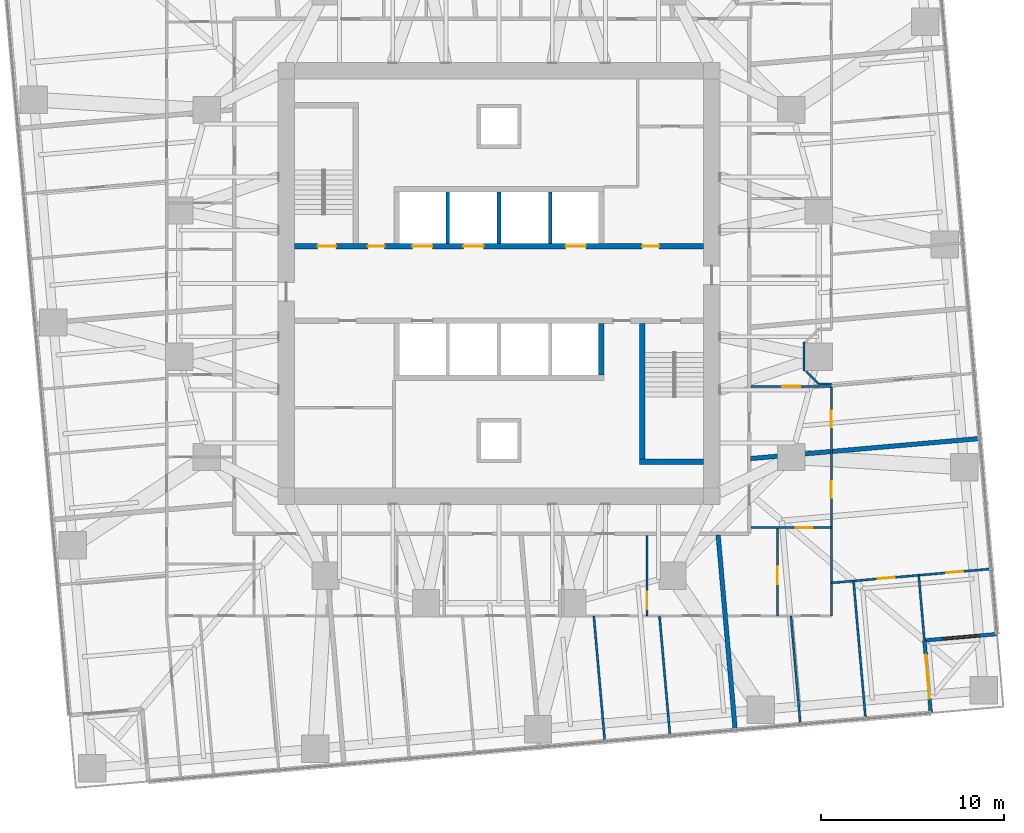
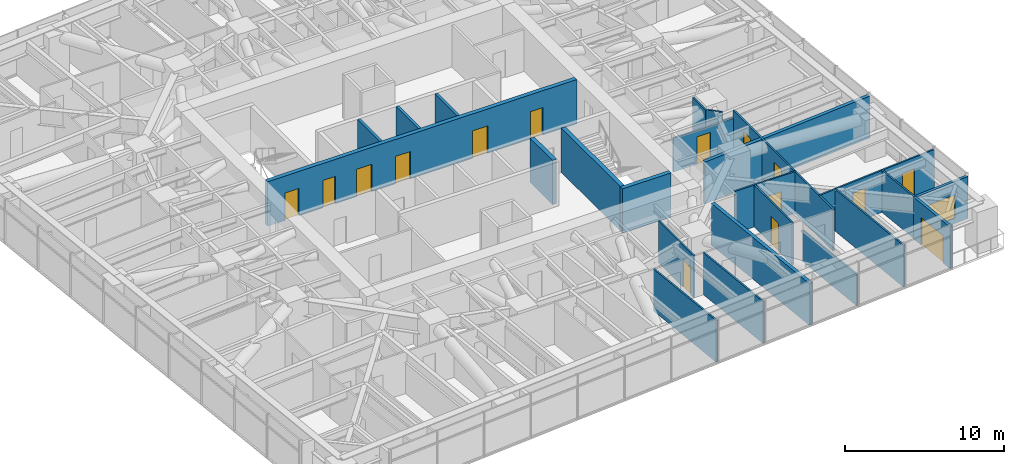
# One storey, part 13 of 18: 25 walls, 15 doors, 1 window, 16 openings.
"""IFC4 building model written with IfcOpenShell, lengths in metres."""

from ifc_helpers import new_model, si_unit, direction, frame, frame_2d, origin, place, context, subcontext, project, spatial, rectangle, extrude, material, layer, layer_set, type_object, element, fill, save


model = new_model("IFC4")

# Units and contexts
model_context = context("Model", 3, precision=1e-05, world=origin(), true_north=direction((0.0, 1.0)))
body_context = subcontext(model_context, "Body", "Model", "MODEL_VIEW")
ifc_project = project(units=[si_unit("LENGTHUNIT", "METRE"), si_unit("AREAUNIT", "SQUARE_METRE"), si_unit("VOLUMEUNIT", "CUBIC_METRE"), si_unit("PLANEANGLEUNIT", "RADIAN"), si_unit("MASSUNIT", "GRAM", prefix="KILO")], contexts=[model_context])

# Site, building, storey
site_placement = place(None, origin())
site = spatial("IfcSite", under=ifc_project, at=site_placement, CompositionType="ELEMENT")
building_placement = place(site_placement, origin())
building = spatial("IfcBuilding", under=site, at=building_placement, Name="Torsade Residences", CompositionType="ELEMENT")
storey_placement = place(building_placement, frame((0.0, 0.0, 71.0)))
storey = spatial("IfcBuildingStorey", under=building, at=storey_placement, Name="L19", CompositionType="ELEMENT", Elevation=71.0)

# Wall, openings, doors
ifc_material_1 = material(Name="Concrete 80 MPa", Category="concrete")
ifc_layer_1 = layer(ifc_material_1, 0.300048828125)
ifc_layer_set_1 = layer_set([ifc_layer_1], Name="Concrete 80 MPa")
wall_type_1 = type_object("IfcWallType", Name="CORE INTERNAL WALL 300", PredefinedType="SHEAR", material=ifc_layer_set_1)
wall_1_placement = place(storey_placement, frame((28.800048828125, 32.050048828125, 0.0), z_axis=(0.0, 0.0, 1.0), x_axis=(1.0, 0.0, 0.0)))
wall_1 = element("IfcWall", 1, at=wall_1_placement, inside=storey, type_object=wall_type_1, Name="Core wall LN L19", PredefinedType="SHEAR", context=body_context, shape_type="SweptSolid", body=[
    extrude(rectangle(XDim=22.39990234375, YDim=0.300048828125, at=frame_2d((11.199951171875, 0.0))), origin(), (0.0, 0.0, 1.0), 3.39990234375),
])
opening_1_placement = place(wall_1_placement, frame((19.0400390625, 0.0, 0.0)))
opening_1 = element("IfcOpeningElement", 2, at=opening_1_placement, cuts=wall_1, Name="Opening D06", PredefinedType="OPENING", context=body_context, shape_type="SweptSolid", body=[
    extrude(rectangle(XDim=0.919921875, YDim=2.10009765625, at=frame_2d((0.4599609375, 1.050048828125))), frame((0.0, 0.159912109375, 0.0), z_axis=(0.0, -1.0, 0.0), x_axis=(1.0, 0.0, 0.0)), (0.0, 0.0, 1.0), 0.320068359375),
])
opening_2_placement = place(wall_1_placement, frame((1.264892578125, 0.0, 0.0)))
opening_2 = element("IfcOpeningElement", 3, at=opening_2_placement, cuts=wall_1, Name="Opening D03", PredefinedType="OPENING", context=body_context, shape_type="SweptSolid", body=[
    extrude(rectangle(XDim=1.02001953125, YDim=2.10009765625, at=frame_2d((0.510009765625, 1.050048828125))), frame((0.0, 0.159912109375, 0.0), z_axis=(0.0, -1.0, 0.0), x_axis=(1.0, 0.0, 0.0)), (0.0, 0.0, 1.0), 0.320068359375),
])
opening_3_placement = place(wall_1_placement, frame((4.014892578125, 0.0, 0.0)))
opening_3 = element("IfcOpeningElement", 4, at=opening_3_placement, cuts=wall_1, Name="Opening D06", PredefinedType="OPENING", context=body_context, shape_type="SweptSolid", body=[
    extrude(rectangle(XDim=0.919921875, YDim=2.10009765625, at=frame_2d((0.4599609375, 1.050048828125))), frame((0.0, 0.159912109375, 0.0), z_axis=(0.0, -1.0, 0.0), x_axis=(1.0, 0.0, 0.0)), (0.0, 0.0, 1.0), 0.320068359375),
])
opening_4_placement = place(wall_1_placement, frame((6.449951171875, 0.0, 0.0)))
opening_4 = element("IfcOpeningElement", 5, at=opening_4_placement, cuts=wall_1, Name="Opening LD", PredefinedType="OPENING", context=body_context, shape_type="SweptSolid", body=[
    extrude(rectangle(XDim=1.10009765625, YDim=2.10009765625, at=frame_2d((0.550048828125, 1.050048828125))), frame((0.0, 0.159912109375, 0.0), z_axis=(0.0, -1.0, 0.0), x_axis=(1.0, 0.0, 0.0)), (0.0, 0.0, 1.0), 0.320068359375),
])
opening_5_placement = place(wall_1_placement, frame((9.25, 0.0, 0.0)))
opening_5 = element("IfcOpeningElement", 6, at=opening_5_placement, cuts=wall_1, Name="Opening LD", PredefinedType="OPENING", context=body_context, shape_type="SweptSolid", body=[
    extrude(rectangle(XDim=1.10009765625, YDim=2.10009765625, at=frame_2d((0.550048828125, 1.050048828125))), frame((0.0, 0.159912109375, 0.0), z_axis=(0.0, -1.0, 0.0), x_axis=(1.0, 0.0, 0.0)), (0.0, 0.0, 1.0), 0.320068359375),
])
opening_6_placement = place(wall_1_placement, frame((14.85009765625, 0.0, 0.0)))
opening_6 = element("IfcOpeningElement", 7, at=opening_6_placement, cuts=wall_1, Name="Opening LD", PredefinedType="OPENING", context=body_context, shape_type="SweptSolid", body=[
    extrude(rectangle(XDim=1.10009765625, YDim=2.10009765625, at=frame_2d((0.550048828125, 1.050048828125))), frame((0.0, 0.159912109375, 0.0), z_axis=(0.0, -1.0, 0.0), x_axis=(1.0, 0.0, 0.0)), (0.0, 0.0, 1.0), 0.320068359375),
])
ifc_material_2 = material(Name="Steel-framed fire door", Category="steel")
door_type_1 = type_object("IfcDoorType", Name="FIRE DOOR 1020", OperationType="NOTDEFINED", PredefinedType="DOOR", material=ifc_material_2)
door_1_placement = place(opening_2_placement, origin())
door_1 = element("IfcDoor", 8, at=door_1_placement, inside=storey, type_object=door_type_1, Name="Exit door to fire-isolated stair ST1 L19", OperationType="SINGLE_SWING_RIGHT", OverallHeight=2.10009765625, OverallWidth=1.02001953125, PredefinedType="DOOR", context=body_context, shape_type="SweptSolid", body=[
    extrude(rectangle(XDim=1.02001953125, YDim=2.10009765625, at=frame_2d((0.510009765625, 1.050048828125))), frame((0.0, 0.02490234375, 0.0), z_axis=(0.0, -1.0, 0.0), x_axis=(1.0, 0.0, 0.0)), (0.0, 0.0, 1.0), 0.050048828125),
])
fill(opening_2, door_1)
ifc_material_3 = material(Name="Steel-framed fire door", Category="steel")
door_type_2 = type_object("IfcDoorType", Name="FIRE DOOR 920", OperationType="NOTDEFINED", PredefinedType="DOOR", material=ifc_material_3)
door_2_placement = place(opening_1_placement, origin())
door_2 = element("IfcDoor", 9, at=door_2_placement, inside=storey, type_object=door_type_2, Name="Door Lift lobby to Refuse room", OperationType="SINGLE_SWING_LEFT", OverallHeight=2.10009765625, OverallWidth=0.919921875, PredefinedType="DOOR", context=body_context, shape_type="SweptSolid", body=[
    extrude(rectangle(XDim=0.919921875, YDim=2.10009765625, at=frame_2d((0.4599609375, 1.050048828125))), frame((0.0, 0.02490234375, 0.0), z_axis=(0.0, -1.0, 0.0), x_axis=(1.0, 0.0, 0.0)), (0.0, 0.0, 1.0), 0.050048828125),
])
fill(opening_1, door_2)
door_3_placement = place(opening_3_placement, origin())
door_3 = element("IfcDoor", 10, at=door_3_placement, inside=storey, type_object=door_type_2, Name="Door Lift lobby to Electrical riser room", OperationType="SINGLE_SWING_LEFT", OverallHeight=2.10009765625, OverallWidth=0.919921875, PredefinedType="DOOR", context=body_context, shape_type="SweptSolid", body=[
    extrude(rectangle(XDim=0.919921875, YDim=2.10009765625, at=frame_2d((0.4599609375, 1.050048828125))), frame((0.0, 0.02490234375, 0.0), z_axis=(0.0, -1.0, 0.0), x_axis=(1.0, 0.0, 0.0)), (0.0, 0.0, 1.0), 0.050048828125),
])
fill(opening_3, door_3)
ifc_material_4 = material(Name="Stainless steel lift landing door", Category="steel")
door_type_3 = type_object("IfcDoorType", Name="LIFT LANDING DOOR 1100", OperationType="SLIDING_TO_LEFT", PredefinedType="DOOR", material=ifc_material_4)
door_4_placement = place(opening_4_placement, origin())
door_4 = element("IfcDoor", 11, at=door_4_placement, inside=storey, type_object=door_type_3, Name="Lift LA1 landing door L19", OperationType="SLIDING_TO_LEFT", OverallHeight=2.10009765625, OverallWidth=1.10009765625, PredefinedType="DOOR", context=body_context, shape_type="SweptSolid", body=[
    extrude(rectangle(XDim=1.10009765625, YDim=2.10009765625, at=frame_2d((0.550048828125, 1.050048828125))), frame((0.0, 0.02490234375, 0.0), z_axis=(0.0, -1.0, 0.0), x_axis=(1.0, 0.0, 0.0)), (0.0, 0.0, 1.0), 0.050048828125),
])
fill(opening_4, door_4)
door_5_placement = place(opening_5_placement, origin())
door_5 = element("IfcDoor", 12, at=door_5_placement, inside=storey, type_object=door_type_3, Name="Lift LA2 landing door L19", OperationType="SLIDING_TO_LEFT", OverallHeight=2.10009765625, OverallWidth=1.10009765625, PredefinedType="DOOR", context=body_context, shape_type="SweptSolid", body=[
    extrude(rectangle(XDim=1.10009765625, YDim=2.10009765625, at=frame_2d((0.550048828125, 1.050048828125))), frame((0.0, 0.02490234375, 0.0), z_axis=(0.0, -1.0, 0.0), x_axis=(1.0, 0.0, 0.0)), (0.0, 0.0, 1.0), 0.050048828125),
])
fill(opening_5, door_5)
door_6_placement = place(opening_6_placement, origin())
door_6 = element("IfcDoor", 13, at=door_6_placement, inside=storey, type_object=door_type_3, Name="Lift FL1 landing door L19", OperationType="SLIDING_TO_LEFT", OverallHeight=2.10009765625, OverallWidth=1.10009765625, PredefinedType="DOOR", context=body_context, shape_type="SweptSolid", body=[
    extrude(rectangle(XDim=1.10009765625, YDim=2.10009765625, at=frame_2d((0.550048828125, 1.050048828125))), frame((0.0, 0.02490234375, 0.0), z_axis=(0.0, -1.0, 0.0), x_axis=(1.0, 0.0, 0.0)), (0.0, 0.0, 1.0), 0.050048828125),
])
fill(opening_6, door_6)

# Walls
wall_2_placement = place(storey_placement, frame((45.60009765625, 27.800048828125, 0.0), z_axis=(0.0, 0.0, 1.0), x_axis=(0.0, -1.0, 0.0)))
element("IfcWall", 14, at=wall_2_placement, inside=storey, type_object=wall_type_1, Name="Core wall DS0 L19", PredefinedType="SHEAR", context=body_context, shape_type="SweptSolid", body=[
    extrude(rectangle(XDim=2.800048828125, YDim=0.300048828125, at=frame_2d((1.39990234375, 0.0))), origin(), (0.0, 0.0, 1.0), 3.39990234375),
])
wall_3_placement = place(storey_placement, frame((47.85009765625, 27.800048828125, 0.0), z_axis=(0.0, 0.0, 1.0), x_axis=(0.0, -1.0, 0.0)))
element("IfcWall", 15, at=wall_3_placement, inside=storey, type_object=wall_type_1, Name="Core wall ST2W L19", PredefinedType="SHEAR", context=body_context, shape_type="SweptSolid", body=[
    extrude(rectangle(XDim=7.699951171875, YDim=0.300048828125, at=frame_2d((3.85009765625, 0.0))), origin(), (0.0, 0.0, 1.0), 3.39990234375),
])
wall_4_placement = place(storey_placement, frame((51.199951171875, 20.25, 0.0), z_axis=(0.0, 0.0, 1.0), x_axis=(-1.0, 0.0, 0.0)))
element("IfcWall", 16, at=wall_4_placement, inside=storey, type_object=wall_type_1, Name="Core wall ST2S L19", PredefinedType="SHEAR", context=body_context, shape_type="SweptSolid", body=[
    extrude(rectangle(XDim=3.5, YDim=0.300048828125, at=frame_2d((1.75, 0.0))), origin(), (0.0, 0.0, 1.0), 3.39990234375),
])
ifc_material_5 = material(Name="Reinforced blockwork", Category="masonry")
ifc_layer_2 = layer(ifc_material_5, 0.199951171875)
ifc_layer_set_2 = layer_set([ifc_layer_2], Name="Reinforced blockwork")
wall_type_2 = type_object("IfcWallType", Name="LIFT SHAFT DIVIDING WALL 200", PredefinedType="SOLIDWALL", material=ifc_layer_set_2)
for number, where, z_axis, x_axis, name in (
    (17, (37.199951171875, 32.199951171875, 0.0), (0.0, 0.0, 1.0), (0.0, 1.0, 0.0), "Core wall DN1 L19"),
    (18, (40.0, 32.199951171875, 0.0), (0.0, 0.0, 1.0), (0.0, 1.0, 0.0), "Core wall DN2 L19"),
    (19, (42.800048828125, 32.199951171875, 0.0), (0.0, 0.0, 1.0), (0.0, 1.0, 0.0), "Core wall DN3 L19"),
):
    element("IfcWall", number, at=place(storey_placement, frame(where, z_axis=z_axis, x_axis=x_axis)), inside=storey, type_object=wall_type_2, Name=name, PredefinedType="SOLIDWALL", context=body_context, shape_type="SweptSolid", body=[
        extrude(rectangle(XDim=2.800048828125, YDim=0.199951171875, at=frame_2d((1.39990234375, 0.0))), origin(), (0.0, 0.0, 1.0), 3.39990234375),
    ])

# Wall, opening, door
ifc_material_6 = material(Name="Plasterboard on steel stud", Category="steel")
ifc_layer_3 = layer(ifc_material_6, 0.1201171875)
ifc_layer_set_3 = layer_set([ifc_layer_3], Name="Plasterboard on steel stud")
wall_type_3 = type_object("IfcWallType", Name="PARTITION 120", PredefinedType="PARTITIONING", material=ifc_layer_set_3)
wall_5_placement = place(storey_placement, frame((48.101318359375, 16.199951171875, 0.0), z_axis=(0.0, 0.0, 1.0), x_axis=(0.0, -1.0, 0.0)))
wall_5 = element("IfcWall", 20, at=wall_5_placement, inside=storey, type_object=wall_type_3, Name="Partition L19", PredefinedType="PARTITIONING", context=body_context, shape_type="SweptSolid", body=[
    extrude(rectangle(XDim=4.39990234375, YDim=0.1201171875, at=frame_2d((2.199951171875, 0.0))), origin(), (0.0, 0.0, 1.0), 3.199951171875),
])
opening_7_placement = place(wall_5_placement, frame((3.070068359375, 0.0, 0.0)))
opening_7 = element("IfcOpeningElement", 21, at=opening_7_placement, cuts=wall_5, Name="Opening D05", PredefinedType="OPENING", context=body_context, shape_type="SweptSolid", body=[
    extrude(rectangle(XDim=0.9599609375, YDim=2.10009765625, at=frame_2d((0.47998046875, 1.050048828125))), frame((0.0, 0.070068359375, 0.0), z_axis=(0.0, -1.0, 0.0), x_axis=(1.0, 0.0, 0.0)), (0.0, 0.0, 1.0), 0.14013671875),
])
ifc_material_7 = material(Name="Hollow-core timber door in a steel cavity frame", Category="steel")
door_type_4 = type_object("IfcDoorType", Name="BATHROOM CAVITY SLIDING DOOR 960", OperationType="SLIDING_TO_LEFT", PredefinedType="DOOR", material=ifc_material_7)
door_7_placement = place(opening_7_placement, origin())
door_7 = element("IfcDoor", 22, at=door_7_placement, inside=storey, type_object=door_type_4, Name="Door Kitchen and dining to Bathroom", OperationType="SLIDING_TO_LEFT", OverallHeight=2.10009765625, OverallWidth=0.9599609375, PredefinedType="DOOR", context=body_context, shape_type="SweptSolid", body=[
    extrude(rectangle(XDim=0.9599609375, YDim=2.10009765625, at=frame_2d((0.47998046875, 1.050048828125))), frame((0.0, 0.02490234375, 0.0), z_axis=(0.0, -1.0, 0.0), x_axis=(1.0, 0.0, 0.0)), (0.0, 0.0, 1.0), 0.050048828125),
])
fill(opening_7, door_7)

# Walls
wall_6_placement = place(storey_placement, frame((45.189208984375, 11.800048828125, 0.0), z_axis=(0.0, 0.0, 1.0), x_axis=(0.087190290923, -0.996191674914, 0.0)))
element("IfcWall", 23, at=wall_6_placement, inside=storey, type_object=wall_type_3, Name="Partition L19", PredefinedType="PARTITIONING", context=body_context, shape_type="SweptSolid", body=[
    extrude(rectangle(XDim=6.876953125, YDim=0.1201171875, at=frame_2d((3.4384765625, 0.0))), origin(), (0.0, 0.0, 1.0), 3.199951171875),
])
wall_7_placement = place(storey_placement, frame((48.786376953125, 11.800048828125, 0.0), z_axis=(0.0, 0.0, 1.0), x_axis=(0.087151261897, -0.996195090105, 0.0)))
element("IfcWall", 24, at=wall_7_placement, inside=storey, type_object=wall_type_3, Name="Partition L19", PredefinedType="PARTITIONING", context=body_context, shape_type="SweptSolid", body=[
    extrude(rectangle(XDim=6.5634765625, YDim=0.1201171875, at=frame_2d((3.28173828125, 0.0))), origin(), (0.0, 0.0, 1.0), 3.199951171875),
])

# Wall, opening, door
wall_8_placement = place(storey_placement, frame((58.199951171875, 16.634033203125, 0.0), z_axis=(0.0, 0.0, 1.0), x_axis=(-1.0, 0.0, 0.0)))
wall_8 = element("IfcWall", 25, at=wall_8_placement, inside=storey, type_object=wall_type_3, Name="Partition L19", PredefinedType="PARTITIONING", context=body_context, shape_type="SweptSolid", body=[
    extrude(rectangle(XDim=4.39990234375, YDim=0.1201171875, at=frame_2d((2.199951171875, 0.0))), origin(), (0.0, 0.0, 1.0), 3.199951171875),
])
opening_8_placement = place(wall_8_placement, frame((1.040771484375, 0.0, 0.0)))
opening_8 = element("IfcOpeningElement", 26, at=opening_8_placement, cuts=wall_8, Name="Opening D02N", PredefinedType="OPENING", context=body_context, shape_type="SweptSolid", body=[
    extrude(rectangle(XDim=0.919921875, YDim=2.0, at=frame_2d((0.4599609375, 1.0))), frame((0.0, 0.070068359375, 0.0), z_axis=(0.0, -1.0, 0.0), x_axis=(1.0, 0.0, 0.0)), (0.0, 0.0, 1.0), 0.14013671875),
])
ifc_material_8 = material(Name="Hollow-core timber door", Category="wood")
door_type_5 = type_object("IfcDoorType", Name="INTERNAL DOOR 920x2000", OperationType="NOTDEFINED", PredefinedType="DOOR", material=ifc_material_8)
door_8_placement = place(opening_8_placement, origin())
door_8 = element("IfcDoor", 27, at=door_8_placement, inside=storey, type_object=door_type_5, Name="Door Kitchen and dining to Dressing room", OperationType="SINGLE_SWING_RIGHT", OverallHeight=2.0, OverallWidth=0.919921875, PredefinedType="DOOR", context=body_context, shape_type="SweptSolid", body=[
    extrude(rectangle(XDim=0.919921875, YDim=2.0, at=frame_2d((0.4599609375, 1.0))), frame((0.0, 0.02490234375, 0.0), z_axis=(0.0, -1.0, 0.0), x_axis=(1.0, 0.0, 0.0)), (0.0, 0.0, 1.0), 0.050048828125),
])
fill(opening_8, door_8)

# Wall, openings, doors
wall_9_placement = place(storey_placement, frame((58.199951171875, 24.365966796875, 0.0), z_axis=(0.0, 0.0, 1.0), x_axis=(0.0, -1.0, 0.0)))
wall_9 = element("IfcWall", 28, at=wall_9_placement, inside=storey, type_object=wall_type_3, Name="Partition L19", PredefinedType="PARTITIONING", context=body_context, shape_type="SweptSolid", body=[
    extrude(rectangle(XDim=12.56591796875, YDim=0.1201171875, at=frame_2d((6.282958984375, 0.0))), origin(), (0.0, 0.0, 1.0), 3.199951171875),
])
opening_9_placement = place(wall_9_placement, frame((1.322265625, 0.0, 0.0)))
opening_9 = element("IfcOpeningElement", 29, at=opening_9_placement, cuts=wall_9, Name="Opening D02", PredefinedType="OPENING", context=body_context, shape_type="SweptSolid", body=[
    extrude(rectangle(XDim=0.919921875, YDim=2.340087890625, at=frame_2d((0.4599609375, 1.169921875))), frame((0.0, 0.070068359375, 0.0), z_axis=(0.0, -1.0, 0.0), x_axis=(1.0, 0.0, 0.0)), (0.0, 0.0, 1.0), 0.14013671875),
])
opening_10_placement = place(wall_9_placement, frame((5.1884765625, 0.0, 0.0)))
opening_10 = element("IfcOpeningElement", 30, at=opening_10_placement, cuts=wall_9, Name="Opening D02", PredefinedType="OPENING", context=body_context, shape_type="SweptSolid", body=[
    extrude(rectangle(XDim=0.919921875, YDim=2.340087890625, at=frame_2d((0.4599609375, 1.169921875))), frame((0.0, 0.070068359375, 0.0), z_axis=(0.0, -1.0, 0.0), x_axis=(1.0, 0.0, 0.0)), (0.0, 0.0, 1.0), 0.14013671875),
])
ifc_material_9 = material(Name="Hollow-core timber door", Category="wood")
door_type_6 = type_object("IfcDoorType", Name="INTERNAL DOOR 920x2340", OperationType="NOTDEFINED", PredefinedType="DOOR", material=ifc_material_9)
door_9_placement = place(opening_9_placement, origin())
door_9 = element("IfcDoor", 31, at=door_9_placement, inside=storey, type_object=door_type_6, Name="Door Kitchen and dining to Living room", OperationType="SINGLE_SWING_RIGHT", OverallHeight=2.340087890625, OverallWidth=0.919921875, PredefinedType="DOOR", context=body_context, shape_type="SweptSolid", body=[
    extrude(rectangle(XDim=0.919921875, YDim=2.340087890625, at=frame_2d((0.4599609375, 1.169921875))), frame((0.0, 0.02490234375, 0.0), z_axis=(0.0, -1.0, 0.0), x_axis=(1.0, 0.0, 0.0)), (0.0, 0.0, 1.0), 0.050048828125),
])
fill(opening_9, door_9)
door_10_placement = place(opening_10_placement, origin())
door_10 = element("IfcDoor", 32, at=door_10_placement, inside=storey, type_object=door_type_6, Name="Door Kitchen and dining to Living room", OperationType="SINGLE_SWING_LEFT", OverallHeight=2.340087890625, OverallWidth=0.919921875, PredefinedType="DOOR", context=body_context, shape_type="SweptSolid", body=[
    extrude(rectangle(XDim=0.919921875, YDim=2.340087890625, at=frame_2d((0.4599609375, 1.169921875))), frame((0.0, 0.02490234375, 0.0), z_axis=(0.0, -1.0, 0.0), x_axis=(1.0, 0.0, 0.0)), (0.0, 0.0, 1.0), 0.050048828125),
])
fill(opening_10, door_10)

# Wall, opening, door
wall_10_placement = place(storey_placement, frame((55.248779296875, 16.593994140625, 0.0), z_axis=(0.0, 0.0, 1.0), x_axis=(0.0, -1.0, 0.0)))
wall_10 = element("IfcWall", 33, at=wall_10_placement, inside=storey, type_object=wall_type_3, Name="Partition L19", PredefinedType="PARTITIONING", context=body_context, shape_type="SweptSolid", body=[
    extrude(rectangle(XDim=4.7939453125, YDim=0.1201171875, at=frame_2d((2.39697265625, 0.0))), origin(), (0.0, 0.0, 1.0), 3.199951171875),
])
opening_11_placement = place(wall_10_placement, frame((2.114013671875, 0.0, 0.0)))
opening_11 = element("IfcOpeningElement", 34, at=opening_11_placement, cuts=wall_10, Name="Opening D05", PredefinedType="OPENING", context=body_context, shape_type="SweptSolid", body=[
    extrude(rectangle(XDim=0.9599609375, YDim=2.10009765625, at=frame_2d((0.47998046875, 1.050048828125))), frame((0.0, 0.070068359375, 0.0), z_axis=(0.0, -1.0, 0.0), x_axis=(1.0, 0.0, 0.0)), (0.0, 0.0, 1.0), 0.14013671875),
])
door_11_placement = place(opening_11_placement, origin())
door_11 = element("IfcDoor", 35, at=door_11_placement, inside=storey, type_object=door_type_4, Name="Door Dressing room to Bathroom", OperationType="SLIDING_TO_LEFT", OverallHeight=2.10009765625, OverallWidth=0.9599609375, PredefinedType="DOOR", context=body_context, shape_type="SweptSolid", body=[
    extrude(rectangle(XDim=0.9599609375, YDim=2.10009765625, at=frame_2d((0.47998046875, 1.050048828125))), frame((0.0, 0.02490234375, 0.0), z_axis=(0.0, -1.0, 0.0), x_axis=(1.0, 0.0, 0.0)), (0.0, 0.0, 1.0), 0.050048828125),
])
fill(opening_11, door_11)

# Wall, openings, doors
wall_11_placement = place(storey_placement, frame((66.924560546875, 14.37060546875, 0.0), z_axis=(0.0, 0.0, 1.0), x_axis=(-0.996193475426, -0.087169716747, 0.0)))
wall_11 = element("IfcWall", 36, at=wall_11_placement, inside=storey, type_object=wall_type_3, Name="Partition L19", PredefinedType="PARTITIONING", context=body_context, shape_type="SweptSolid", body=[
    extrude(rectangle(XDim=8.758056640625, YDim=0.1201171875, at=frame_2d((4.37890625, 0.0))), origin(), (0.0, 0.0, 1.0), 3.199951171875),
])
opening_12_placement = place(wall_11_placement, frame((1.52490234375, 0.0, 0.0)))
opening_12 = element("IfcOpeningElement", 37, at=opening_12_placement, cuts=wall_11, Name="Opening D02", PredefinedType="OPENING", context=body_context, shape_type="SweptSolid", body=[
    extrude(rectangle(XDim=0.919921875, YDim=2.340087890625, at=frame_2d((0.4599609375, 1.169921875))), frame((0.0, 0.070068359375, 0.0), z_axis=(0.0, -1.0, 0.0), x_axis=(1.0, 0.0, 0.0)), (0.0, 0.0, 1.0), 0.14013671875),
])
opening_13_placement = place(wall_11_placement, frame((5.291748046875, 0.0, 0.0)))
opening_13 = element("IfcOpeningElement", 38, at=opening_13_placement, cuts=wall_11, Name="Opening D02", PredefinedType="OPENING", context=body_context, shape_type="SweptSolid", body=[
    extrude(rectangle(XDim=0.919921875, YDim=2.340087890625, at=frame_2d((0.4599609375, 1.169921875))), frame((0.0, 0.070068359375, 0.0), z_axis=(0.0, -1.0, 0.0), x_axis=(1.0, 0.0, 0.0)), (0.0, 0.0, 1.0), 0.14013671875),
])
door_12_placement = place(opening_12_placement, origin())
door_12 = element("IfcDoor", 39, at=door_12_placement, inside=storey, type_object=door_type_6, Name="Door Living room to Family room", OperationType="SINGLE_SWING_RIGHT", OverallHeight=2.340087890625, OverallWidth=0.919921875, PredefinedType="DOOR", context=body_context, shape_type="SweptSolid", body=[
    extrude(rectangle(XDim=0.919921875, YDim=2.340087890625, at=frame_2d((0.4599609375, 1.169921875))), frame((0.0, 0.02490234375, 0.0), z_axis=(0.0, -1.0, 0.0), x_axis=(1.0, 0.0, 0.0)), (0.0, 0.0, 1.0), 0.050048828125),
])
fill(opening_12, door_12)
door_13_placement = place(opening_13_placement, origin())
door_13 = element("IfcDoor", 40, at=door_13_placement, inside=storey, type_object=door_type_6, Name="Door Living room to Bedroom 1", OperationType="SINGLE_SWING_LEFT", OverallHeight=2.340087890625, OverallWidth=0.919921875, PredefinedType="DOOR", context=body_context, shape_type="SweptSolid", body=[
    extrude(rectangle(XDim=0.919921875, YDim=2.340087890625, at=frame_2d((0.4599609375, 1.169921875))), frame((0.0, 0.02490234375, 0.0), z_axis=(0.0, -1.0, 0.0), x_axis=(1.0, 0.0, 0.0)), (0.0, 0.0, 1.0), 0.050048828125),
])
fill(opening_13, door_13)

# Walls
wall_12_placement = place(storey_placement, frame((60.0673828125, 6.198486328125, 0.0), z_axis=(0.0, 0.0, 1.0), x_axis=(-0.087158920508, 0.996194420069, 0.0)))
element("IfcWall", 41, at=wall_12_placement, inside=storey, type_object=wall_type_3, Name="Partition L19", PredefinedType="PARTITIONING", context=body_context, shape_type="SweptSolid", body=[
    extrude(rectangle(XDim=7.54345703125, YDim=0.1201171875, at=frame_2d((3.771728515625, 0.0))), origin(), (0.0, 0.0, 1.0), 3.199951171875),
])
wall_13_placement = place(storey_placement, frame((62.979736328125, 14.025390625, 0.0), z_axis=(0.0, 0.0, 1.0), x_axis=(0.087161821847, -0.996194166221, 0.0)))
element("IfcWall", 42, at=wall_13_placement, inside=storey, type_object=wall_type_3, Name="Partition L19", PredefinedType="PARTITIONING", context=body_context, shape_type="SweptSolid", body=[
    extrude(rectangle(XDim=3.543212890625, YDim=0.1201171875, at=frame_2d((1.771484375, 0.0))), origin(), (0.0, 0.0, 1.0), 3.199951171875),
])
wall_14_placement = place(storey_placement, frame((56.497802734375, 5.88623046875, 0.0), z_axis=(0.0, 0.0, 1.0), x_axis=(-0.087146033323, 0.996195547509, 0.0)))
element("IfcWall", 43, at=wall_14_placement, inside=storey, type_object=wall_type_3, Name="Partition L19", PredefinedType="PARTITIONING", context=body_context, shape_type="SweptSolid", body=[
    extrude(rectangle(XDim=5.9365234375, YDim=0.1201171875, at=frame_2d((2.96826171875, 0.0))), origin(), (0.0, 0.0, 1.0), 2.39892578125),
])

# Wall, opening, door
wall_15_placement = place(storey_placement, frame((53.800048828125, 24.365966796875, 0.0), z_axis=(0.0, 0.0, 1.0), x_axis=(1.0, 0.0, 0.0)))
wall_15 = element("IfcWall", 44, at=wall_15_placement, inside=storey, type_object=wall_type_3, Name="Partition L19", PredefinedType="PARTITIONING", context=body_context, shape_type="SweptSolid", body=[
    extrude(rectangle(XDim=4.39990234375, YDim=0.1201171875, at=frame_2d((2.199951171875, 0.0))), origin(), (0.0, 0.0, 1.0), 2.587890625),
])
opening_14_placement = place(wall_15_placement, frame((1.719970703125, 0.0, 0.0)))
opening_14 = element("IfcOpeningElement", 45, at=opening_14_placement, cuts=wall_15, Name="Opening D05", PredefinedType="OPENING", context=body_context, shape_type="SweptSolid", body=[
    extrude(rectangle(XDim=0.9599609375, YDim=2.10009765625, at=frame_2d((0.47998046875, 1.050048828125))), frame((0.0, 0.070068359375, 0.0), z_axis=(0.0, -1.0, 0.0), x_axis=(1.0, 0.0, 0.0)), (0.0, 0.0, 1.0), 0.14013671875),
])
door_14_placement = place(opening_14_placement, origin())
door_14 = element("IfcDoor", 46, at=door_14_placement, inside=storey, type_object=door_type_4, Name="Door Kitchen and dining to Bathroom", OperationType="SLIDING_TO_LEFT", OverallHeight=2.10009765625, OverallWidth=0.9599609375, PredefinedType="DOOR", context=body_context, shape_type="SweptSolid", body=[
    extrude(rectangle(XDim=0.9599609375, YDim=2.10009765625, at=frame_2d((0.47998046875, 1.050048828125))), frame((0.0, 0.02490234375, 0.0), z_axis=(0.0, -1.0, 0.0), x_axis=(1.0, 0.0, 0.0)), (0.0, 0.0, 1.0), 0.050048828125),
])
fill(opening_14, door_14)

# Walls
wall_16_placement = place(storey_placement, frame((56.699951171875, 26.800048828125, 0.0), z_axis=(0.0, 0.0, 1.0), x_axis=(0.0, -1.0, 0.0)))
element("IfcWall", 47, at=wall_16_placement, inside=storey, type_object=wall_type_3, Name="Partition L19", PredefinedType="PARTITIONING", context=body_context, shape_type="SweptSolid", body=[
    extrude(rectangle(XDim=1.60009765625, YDim=0.1201171875, at=frame_2d((0.800048828125, 0.0))), origin(), (0.0, 0.0, 1.0), 3.199951171875),
])
wall_17_placement = place(storey_placement, frame((56.800048828125, 25.199951171875, 0.0), z_axis=(0.0, 0.0, 1.0), x_axis=(0.707106781187, -0.707106781187, 0.0)))
element("IfcWall", 48, at=wall_17_placement, inside=storey, type_object=wall_type_3, Name="Partition L19", PredefinedType="PARTITIONING", context=body_context, shape_type="SweptSolid", body=[
    extrude(rectangle(XDim=0.989990234375, YDim=0.1201171875, at=frame_2d((0.4951171875, 0.0))), origin(), (0.0, 0.0, 1.0), 3.199951171875),
])
wall_18_placement = place(storey_placement, frame((57.5, 24.5, 0.0), z_axis=(0.0, 0.0, 1.0), x_axis=(1.0, 0.0, 0.0)))
element("IfcWall", 49, at=wall_18_placement, inside=storey, type_object=wall_type_3, Name="Partition L19", PredefinedType="PARTITIONING", context=body_context, shape_type="SweptSolid", body=[
    extrude(rectangle(XDim=0.699951171875, YDim=0.1201171875, at=frame_2d((0.35009765625, 0.0))), origin(), (0.0, 0.0, 1.0), 2.587890625),
])
ifc_material_10 = material(Name="Masonry-lined stud party wall", Category="masonry")
ifc_layer_4 = layer(ifc_material_10, 0.25)
ifc_layer_set_4 = layer_set([ifc_layer_4], Name="Masonry-lined stud party wall")
wall_type_4 = type_object("IfcWallType", Name="PARTY WALL 250", PredefinedType="PARTITIONING", material=ifc_layer_set_4)
wall_19_placement = place(storey_placement, frame((52.931640625, 5.533935546875, 0.0), z_axis=(0.0, 0.0, 1.0), x_axis=(-0.08716441141, 0.996193939644, 0.0)))
element("IfcWall", 50, at=wall_19_placement, inside=storey, type_object=wall_type_4, Name="Party wall L19", PredefinedType="PARTITIONING", context=body_context, shape_type="SweptSolid", body=[
    extrude(rectangle(XDim=10.73583984375, YDim=0.25, at=frame_2d((5.367919921875, 0.0))), origin(), (0.0, 0.0, 1.0), 3.199951171875),
])
wall_20_placement = place(storey_placement, frame((66.33984375, 21.513427734375, 0.0), z_axis=(0.0, 0.0, 1.0), x_axis=(-0.996194851608, -0.087153988028, 0.0)))
element("IfcWall", 51, at=wall_20_placement, inside=storey, type_object=wall_type_4, Name="Party wall L19", PredefinedType="PARTITIONING", context=body_context, shape_type="SweptSolid", body=[
    extrude(rectangle(XDim=12.616943359375, YDim=0.25, at=frame_2d((6.30859375, 0.0))), origin(), (0.0, 0.0, 1.0), 3.199951171875),
])

# Wall, opening, door
ifc_material_11 = material(Name="Stone-faced precast concrete 40 MPa panel", Category="masonry")
ifc_layer_5 = layer(ifc_material_11, 0.199951171875)
ifc_layer_set_5 = layer_set([ifc_layer_5], Name="Stone-faced precast concrete 40 MPa panel")
wall_type_5 = type_object("IfcWallType", Name="TERRACE WALL 200", PredefinedType="SOLIDWALL", material=ifc_layer_set_5)
wall_21_placement = place(storey_placement, frame((63.640625, 6.470947265625, 0.0), z_axis=(0.0, 0.0, 1.0), x_axis=(-0.087161650072, 0.99619418125, 0.0)))
wall_21 = element("IfcWall", 52, at=wall_21_placement, inside=storey, type_object=wall_type_5, Name="Terrace wall L19 2", PredefinedType="SOLIDWALL", context=body_context, shape_type="SweptSolid", body=[
    extrude(rectangle(XDim=3.999755859375, YDim=0.199951171875, at=frame_2d((2.0, 0.0))), origin(), (0.0, 0.0, 1.0), 3.199951171875),
])
opening_15_placement = place(wall_21_placement, frame((0.800048828125, 0.0, 0.0)))
opening_15 = element("IfcOpeningElement", 53, at=opening_15_placement, cuts=wall_21, Name="Opening D10A", PredefinedType="OPENING", context=body_context, shape_type="SweptSolid", body=[
    extrude(rectangle(XDim=2.39990234375, YDim=2.10009765625, at=frame_2d((1.199951171875, 1.050048828125))), frame((0.0, 0.10986328125, 0.0), z_axis=(0.0, -1.0, 0.0), x_axis=(1.0, 0.0, 0.0)), (0.0, 0.0, 1.0), 0.219970703125),
])
ifc_material_12 = material(Name="Aluminium-framed glass door", Category="aluminium")
door_type_7 = type_object("IfcDoorType", Name="TERRACE SLIDING DOOR 2400x2100", OperationType="SLIDING_TO_LEFT", PredefinedType="DOOR", material=ifc_material_12)
door_15_placement = place(opening_15_placement, origin())
door_15 = element("IfcDoor", 54, at=door_15_placement, inside=storey, type_object=door_type_7, Name="Terrace door L19 2", OperationType="SLIDING_TO_LEFT", OverallHeight=2.10009765625, OverallWidth=2.39990234375, PredefinedType="DOOR", context=body_context, shape_type="SweptSolid", body=[
    extrude(rectangle(XDim=2.39990234375, YDim=2.10009765625, at=frame_2d((1.199951171875, 1.050048828125))), frame((0.0, 0.02490234375, 0.0), z_axis=(0.0, -1.0, 0.0), x_axis=(1.0, 0.0, 0.0)), (0.0, 0.0, 1.0), 0.050048828125),
])
fill(opening_15, door_15)

# Wall, opening, window
wall_22_placement = place(storey_placement, frame((63.2919921875, 10.45556640625, 0.0), z_axis=(0.0, 0.0, 1.0), x_axis=(0.99619464492, 0.087156350505, 0.0)))
wall_22 = element("IfcWall", 55, at=wall_22_placement, inside=storey, type_object=wall_type_5, Name="Terrace wall L19 3", PredefinedType="SOLIDWALL", context=body_context, shape_type="SweptSolid", body=[
    extrude(rectangle(XDim=4.0, YDim=0.199951171875, at=frame_2d((2.0, 0.0))), origin(), (0.0, 0.0, 1.0), 3.199951171875),
])
opening_16_placement = place(wall_22_placement, frame((1.0, 0.0, 0.39990234375)))
opening_16 = element("IfcOpeningElement", 56, at=opening_16_placement, cuts=wall_22, Name="Opening W1B", PredefinedType="OPENING", context=body_context, shape_type="SweptSolid", body=[
    extrude(rectangle(XDim=2.0, YDim=1.800048828125, at=frame_2d((1.0, 0.89990234375))), frame((0.0, 0.10986328125, 0.0), z_axis=(0.0, -1.0, 0.0), x_axis=(1.0, 0.0, 0.0)), (0.0, 0.0, 1.0), 0.219970703125),
])
ifc_material_13 = material(Name="Aluminium-framed glass window", Category="aluminium")
window_type = type_object("IfcWindowType", Name="TERRACE WINDOW 2000x1800", PartitioningType="SINGLE_PANEL", PredefinedType="WINDOW", material=ifc_material_13)
window_placement = place(opening_16_placement, origin())
window = element("IfcWindow", 57, at=window_placement, inside=storey, type_object=window_type, Name="Terrace window L19 3", OverallHeight=1.800048828125, OverallWidth=2.0, PartitioningType="SINGLE_PANEL", PredefinedType="WINDOW", context=body_context, shape_type="SweptSolid", body=[
    extrude(rectangle(XDim=2.0, YDim=1.800048828125, at=frame_2d((1.0, 0.89990234375))), frame((0.0, 0.030029296875, 0.0), z_axis=(0.0, -1.0, 0.0), x_axis=(1.0, 0.0, 0.0)), (0.0, 0.0, 1.0), 0.06005859375),
])
fill(opening_16, window)

save(model, "model.ifc")
